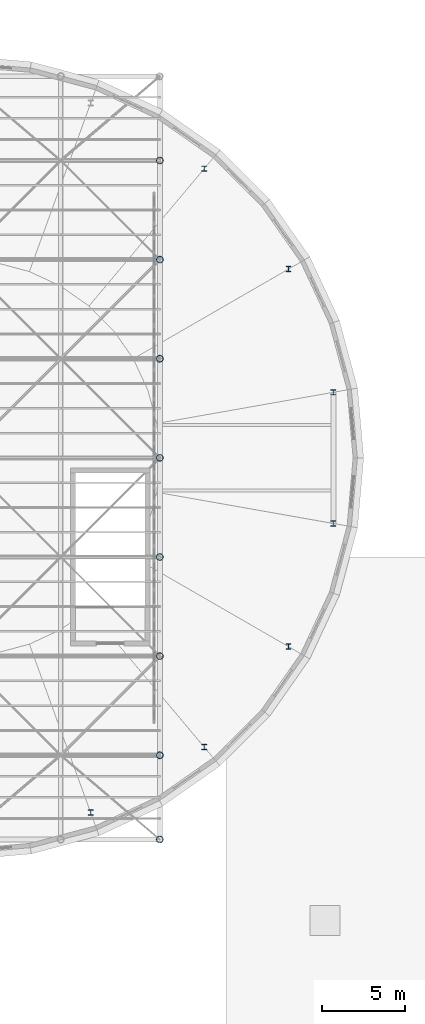
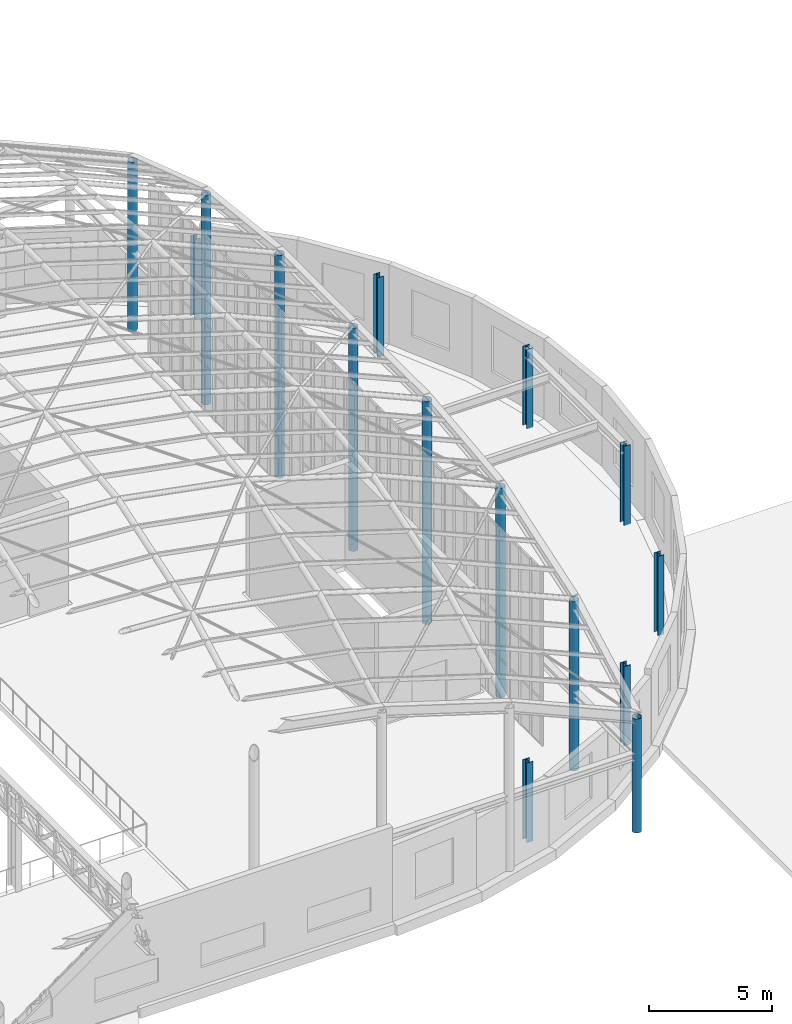
# One storey, part 13 of 75: 15 columns.
"""IFC4 building model written with IfcOpenShell, lengths in metres."""

from ifc_helpers import new_model, si_unit, direction, frame, origin, origin_2d, place, context, subcontext, project, spatial, hollow_circle, i_section, extrude, material, material_profile, profile_set, type_object, element, save


model = new_model("IFC4")

# Units and contexts
model_context = context("Model", 3, precision=1e-05, world=origin(), true_north=direction((0.0, 1.0)))
body_context = subcontext(model_context, "Body", "Model", "MODEL_VIEW")
ifc_project = project(units=[si_unit("LENGTHUNIT", "METRE"), si_unit("AREAUNIT", "SQUARE_METRE"), si_unit("VOLUMEUNIT", "CUBIC_METRE"), si_unit("PLANEANGLEUNIT", "RADIAN"), si_unit("MASSUNIT", "GRAM", prefix="KILO")], contexts=[model_context])

# Site, building, storey
site_placement = place(None, origin())
site = spatial("IfcSite", under=ifc_project, at=site_placement, CompositionType="ELEMENT")
building_placement = place(site_placement, origin())
building = spatial("IfcBuilding", under=site, at=building_placement, Name="Kolvaren Corner Interchange", CompositionType="ELEMENT")
storey_placement = place(building_placement, frame((0.0, 0.0, 10.5)))
storey = spatial("IfcBuildingStorey", under=building, at=storey_placement, Name="L03", CompositionType="ELEMENT", Elevation=10.5)

# Columns
ifc_material_1 = material(Name="Steel S355", Category="steel")
ifc_material_profile_1 = material_profile(ifc_material_1, hollow_circle(Radius=0.203125, WallThickness=0.01611328125, at=origin_2d()), Name="CHS 406.4x16.0")
ifc_profile_set_1 = profile_set([ifc_material_profile_1], Name="Steel S355")
column_type_1 = type_object("IfcColumnType", Name="COL-CHS406", PredefinedType="COLUMN", material=ifc_profile_set_1)
column_1_placement = place(storey_placement, frame((132.0, 24.89990234375, 0.0), z_axis=(0.0, 0.0, 1.0), x_axis=(1.0, 0.0, 0.0)))
element("IfcColumn", 1, at=column_1_placement, inside=storey, type_object=column_type_1, Name="Storey L03 Structural Column 0750", PredefinedType="COLUMN", context=body_context, shape_type="SweptSolid", body=[
    extrude(hollow_circle(Radius=0.203125, WallThickness=0.01611328125, at=origin_2d()), origin(), (0.0, 0.0, 1.0), 5.6650390625),
])
column_2_placement = place(storey_placement, frame((132.0, 30.0, 0.0), z_axis=(0.0, 0.0, 1.0), x_axis=(1.0, 0.0, 0.0)))
element("IfcColumn", 2, at=column_2_placement, inside=storey, type_object=column_type_1, Name="Storey L03 Structural Column 0754", PredefinedType="COLUMN", context=body_context, shape_type="SweptSolid", body=[
    extrude(hollow_circle(Radius=0.203125, WallThickness=0.01611328125, at=origin_2d()), origin(), (0.0, 0.0, 1.0), 8.4130859375),
])
column_3_placement = place(storey_placement, frame((132.0, 36.0, 0.0), z_axis=(0.0, 0.0, 1.0), x_axis=(1.0, 0.0, 0.0)))
element("IfcColumn", 3, at=column_3_placement, inside=storey, type_object=column_type_1, Name="Storey L03 Structural Column 0758", PredefinedType="COLUMN", context=body_context, shape_type="SweptSolid", body=[
    extrude(hollow_circle(Radius=0.203125, WallThickness=0.01611328125, at=origin_2d()), origin(), (0.0, 0.0, 1.0), 10.4130859375),
])
for number, where, z_axis, x_axis, name in (
    (4, (132.0, 42.0, 0.0), (0.0, 0.0, 1.0), (1.0, 0.0, 0.0), "Storey L03 Structural Column 0762"),
    (5, (132.0, 48.0, 0.0), (0.0, 0.0, 1.0), (1.0, 0.0, 0.0), "Storey L03 Structural Column 0766"),
    (6, (132.0, 54.0, 0.0), (0.0, 0.0, 1.0), (1.0, 0.0, 0.0), "Storey L03 Structural Column 0770"),
):
    element("IfcColumn", number, at=place(storey_placement, frame(where, z_axis=z_axis, x_axis=x_axis)), inside=storey, type_object=column_type_1, Name=name, PredefinedType="COLUMN", context=body_context, shape_type="SweptSolid", body=[
        extrude(hollow_circle(Radius=0.203125, WallThickness=0.01611328125, at=origin_2d()), origin(), (0.0, 0.0, 1.0), 11.080078125),
    ])
column_4_placement = place(storey_placement, frame((132.0, 60.0, 0.0), z_axis=(0.0, 0.0, 1.0), x_axis=(1.0, 0.0, 0.0)))
element("IfcColumn", 7, at=column_4_placement, inside=storey, type_object=column_type_1, Name="Storey L03 Structural Column 0774", PredefinedType="COLUMN", context=body_context, shape_type="SweptSolid", body=[
    extrude(hollow_circle(Radius=0.203125, WallThickness=0.01611328125, at=origin_2d()), origin(), (0.0, 0.0, 1.0), 10.4130859375),
])
column_5_placement = place(storey_placement, frame((132.0, 66.0, 0.0), z_axis=(0.0, 0.0, 1.0), x_axis=(1.0, 0.0, 0.0)))
element("IfcColumn", 8, at=column_5_placement, inside=storey, type_object=column_type_1, Name="Storey L03 Structural Column 0778", PredefinedType="COLUMN", context=body_context, shape_type="SweptSolid", body=[
    extrude(hollow_circle(Radius=0.203125, WallThickness=0.01611328125, at=origin_2d()), origin(), (0.0, 0.0, 1.0), 8.4130859375),
])
ifc_material_2 = material(Name="Steel S355", Category="steel")
ifc_material_profile_2 = material_profile(ifc_material_2, i_section(OverallWidth=0.300048828125, OverallDepth=0.320068359375, WebThickness=0.011474609375, FlangeThickness=0.0205078125, FilletRadius=0.027099609375, at=origin_2d()), Name="HEB 320")
ifc_profile_set_2 = profile_set([ifc_material_profile_2], Name="Steel S355")
column_type_2 = type_object("IfcColumnType", Name="COL-HEB320", PredefinedType="COLUMN", material=ifc_profile_set_2)
for number, where, z_axis, x_axis, name in (
    (9, (127.81494140625, 26.528076171875, 0.0), (0.0, 0.0, 1.0), (1.0, 0.0, 0.0), "Storey L03 Structural Column 0818"),
    (10, (134.68798828125, 30.49609375, 0.0), (0.0, 0.0, 1.0), (1.0, 0.0, 0.0), "Storey L03 Structural Column 0822"),
    (11, (139.7890625, 36.574951171875, 0.0), (0.0, 0.0, 1.0), (1.0, 0.0, 0.0), "Storey L03 Structural Column 0826"),
    (12, (142.5029296875, 44.031982421875, 0.0), (0.0, 0.0, 1.0), (1.0, 0.0, 0.0), "Storey L03 Structural Column 0830"),
    (13, (142.5029296875, 51.968017578125, 0.0), (0.0, 0.0, 1.0), (1.0, 0.0, 0.0), "Storey L03 Structural Column 0834"),
    (14, (139.7890625, 59.425048828125, 0.0), (0.0, 0.0, 1.0), (1.0, 0.0, 0.0), "Storey L03 Structural Column 0838"),
    (15, (134.68798828125, 65.50390625, 0.0), (0.0, 0.0, 1.0), (1.0, 0.0, 0.0), "Storey L03 Structural Column 0842"),
):
    element("IfcColumn", number, at=place(storey_placement, frame(where, z_axis=z_axis, x_axis=x_axis)), inside=storey, type_object=column_type_2, Name=name, PredefinedType="COLUMN", context=body_context, shape_type="SweptSolid", body=[
        extrude(i_section(OverallWidth=0.300048828125, OverallDepth=0.320068359375, WebThickness=0.011474609375, FlangeThickness=0.0205078125, FilletRadius=0.027099609375, at=origin_2d()), origin(), (0.0, 0.0, 1.0), 3.949951171875),
    ])

save(model, "model.ifc")
